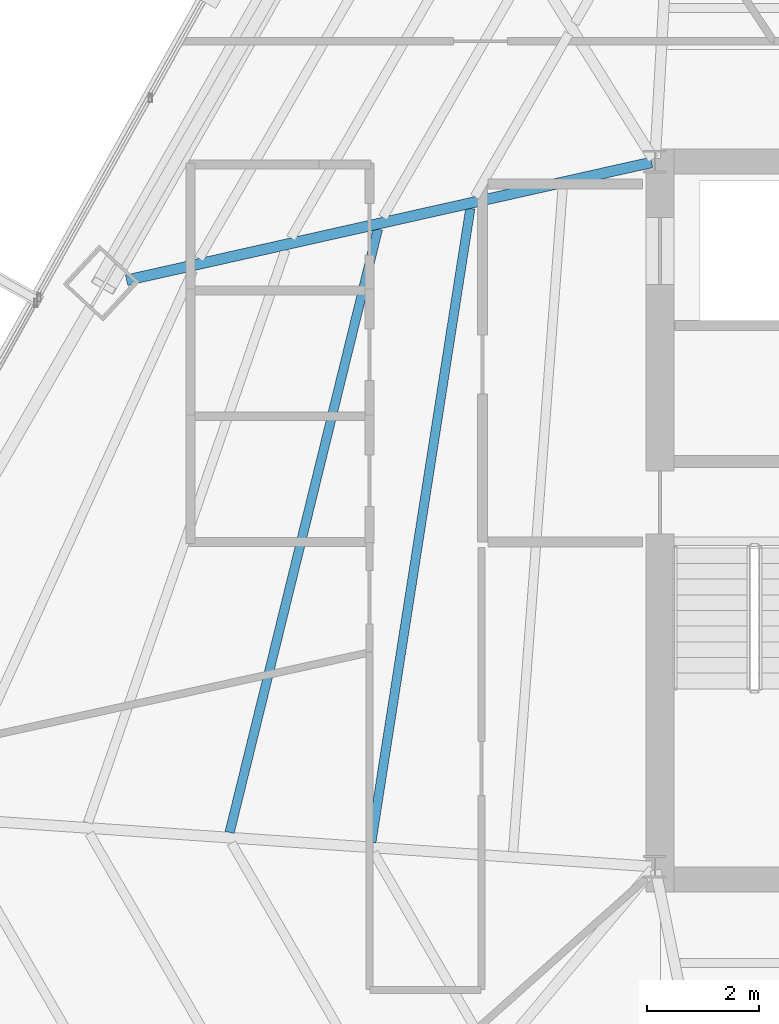
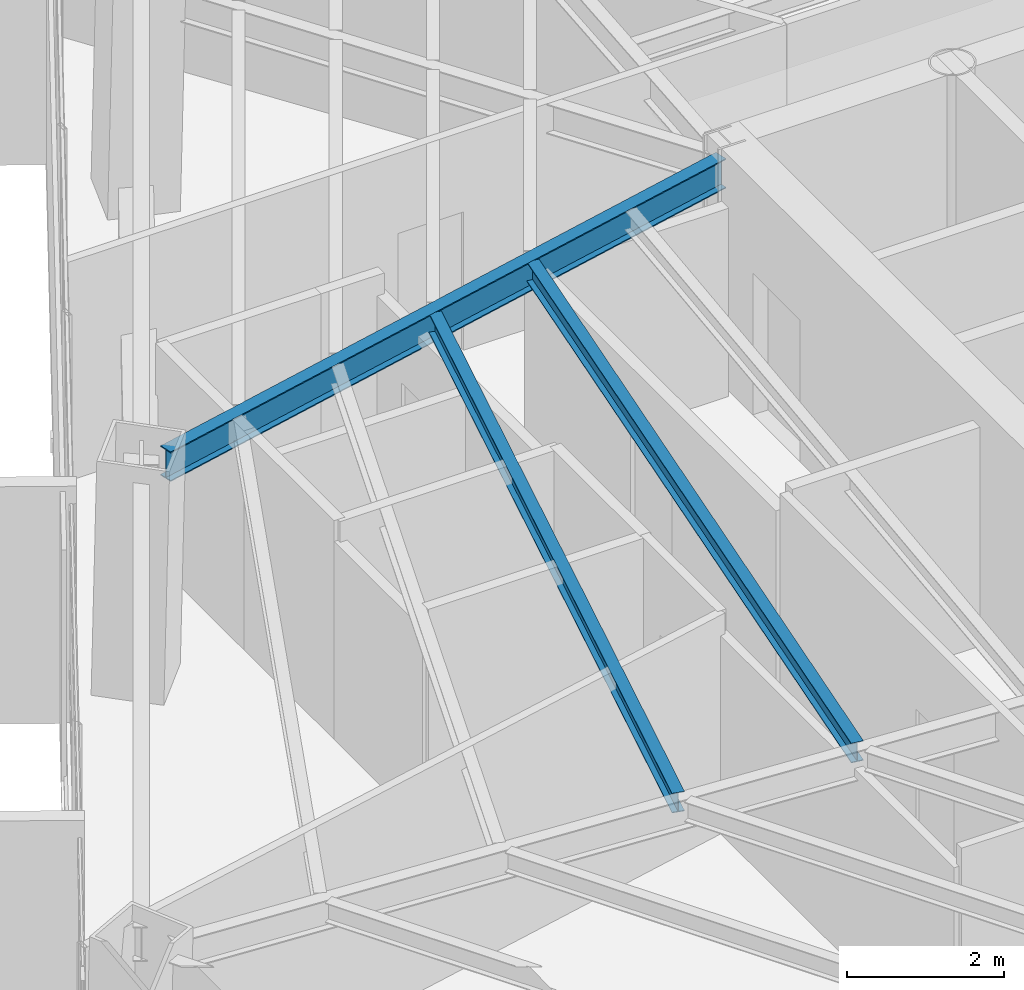
# One storey, part 13 of 39: 3 beams.
"""IFC4 building model written with IfcOpenShell, lengths in metres."""

from ifc_helpers import new_model, si_unit, direction, frame, origin, origin_2d, place, context, subcontext, project, spatial, i_section, extrude, source, transform, mapped, material, material_profile, profile_set, type_object, type_shapes, element, save


model = new_model("IFC4")

# Units and contexts
model_context = context("Model", 3, precision=1e-05, world=origin(), true_north=direction((0.0, 1.0)))
body_context = subcontext(model_context, "Body", "Model", "MODEL_VIEW")
ifc_project = project(units=[si_unit("LENGTHUNIT", "METRE"), si_unit("AREAUNIT", "SQUARE_METRE"), si_unit("VOLUMEUNIT", "CUBIC_METRE"), si_unit("PLANEANGLEUNIT", "RADIAN"), si_unit("MASSUNIT", "GRAM", prefix="KILO")], contexts=[model_context])

# Site, building, storey
site_placement = place(None, origin())
site = spatial("IfcSite", under=ifc_project, at=site_placement, CompositionType="ELEMENT")
building_placement = place(site_placement, origin())
building = spatial("IfcBuilding", under=site, at=building_placement, Name="Caelisora Broadcast Tower", CompositionType="ELEMENT")
storey_placement = place(building_placement, frame((0.0, 0.0, 139.10009765625)))
storey = spatial("IfcBuildingStorey", under=building, at=storey_placement, Name="L36", CompositionType="ELEMENT", Elevation=139.10009765625)

# Beams
ifc_material = material(Name="Steel Grade 350 (AS/NZS 3679.1)", Category="steel")
ifc_material_profile_1 = material_profile(ifc_material, i_section(OverallWidth=0.19091796875, OverallDepth=0.46044921875, WebThickness=0.010009765625, FlangeThickness=0.01611328125, at=origin_2d()), Name="Steel Grade 350 (AS/NZS 3679.1)")
ifc_profile_set_1 = profile_set([ifc_material_profile_1], Name="Steel Grade 350 (AS/NZS 3679.1)")
beam_type_1 = type_object("IfcBeamType", Name="PG06", PredefinedType="BEAM", material=ifc_profile_set_1)
shared_shape_1 = source(origin(), body_context, "Body", "SweptSolid", [
    extrude(i_section(OverallWidth=0.19091796875, OverallDepth=0.46044921875, WebThickness=0.010009765625, FlangeThickness=0.01611328125, at=origin_2d()), origin(), (0.0, 0.0, 1.0), 9.61474609375),
])
type_shapes(beam_type_1, [shared_shape_1])
beam_1_placement = place(storey_placement, frame((30.44140625, 29.98681640625, 3.169677734375), z_axis=(-0.975694650906, -0.219134543587, 0.0), x_axis=(0.219134543587, -0.975694650906, 0.0)))
element("IfcBeam", 1, at=beam_1_placement, inside=storey, type_object=beam_type_1, Name="L36 beam PG06", PredefinedType="BEAM", context=body_context, shape_type="MappedRepresentation", body=[
    mapped(shared_shape_1, transform((0.0, 0.0, 0.0), scale=1.0)),
])
ifc_material_profile_2 = material_profile(ifc_material, i_section(OverallWidth=0.166015625, OverallDepth=0.30712890625, WebThickness=0.006591796875, FlangeThickness=0.01171875, at=origin_2d()), Name="Steel Grade 350 (AS/NZS 3679.1)")
ifc_profile_set_2 = profile_set([ifc_material_profile_2], Name="Steel Grade 350 (AS/NZS 3679.1)")
beam_type_2 = type_object("IfcBeamType", Name="SB03", PredefinedType="JOIST", material=ifc_profile_set_2)
shared_shape_2 = source(origin(), body_context, "Body", "SweptSolid", [
    extrude(i_section(OverallWidth=0.166015625, OverallDepth=0.30712890625, WebThickness=0.006591796875, FlangeThickness=0.01171875, at=origin_2d()), origin(), (0.0, 0.0, 1.0), 11.461181640625),
])
beam_2_placement = place(storey_placement, frame((27.201416015625, 29.1640625, 3.246337890625), z_axis=(-0.154286556517, -0.988026142609, 0.0), x_axis=(0.988026142609, -0.154286556517, 0.0)))
element("IfcBeam", 2, at=beam_2_placement, inside=storey, type_object=beam_type_2, Name="L36 beam SB03", PredefinedType="JOIST", context=body_context, shape_type="MappedRepresentation", body=[
    mapped(shared_shape_2, transform((0.0, 0.0, 0.0), scale=1.0)),
])
shared_shape_3 = source(origin(), body_context, "Body", "SweptSolid", [
    extrude(i_section(OverallWidth=0.166015625, OverallDepth=0.30712890625, WebThickness=0.006591796875, FlangeThickness=0.01171875, at=origin_2d()), origin(), (0.0, 0.0, 1.0), 11.100830078125),
])
type_shapes(beam_type_2, [shared_shape_2, shared_shape_3])
beam_3_placement = place(storey_placement, frame((25.55029296875, 28.793212890625, 3.246337890625), z_axis=(-0.238714683421, -0.971089748643, 0.0), x_axis=(0.971089748643, -0.238714683421, 0.0)))
element("IfcBeam", 3, at=beam_3_placement, inside=storey, type_object=beam_type_2, Name="L36 beam SB03", PredefinedType="JOIST", context=body_context, shape_type="MappedRepresentation", body=[
    mapped(shared_shape_3, transform((0.0, 0.0, 0.0), scale=1.0)),
])

save(model, "model.ifc")
